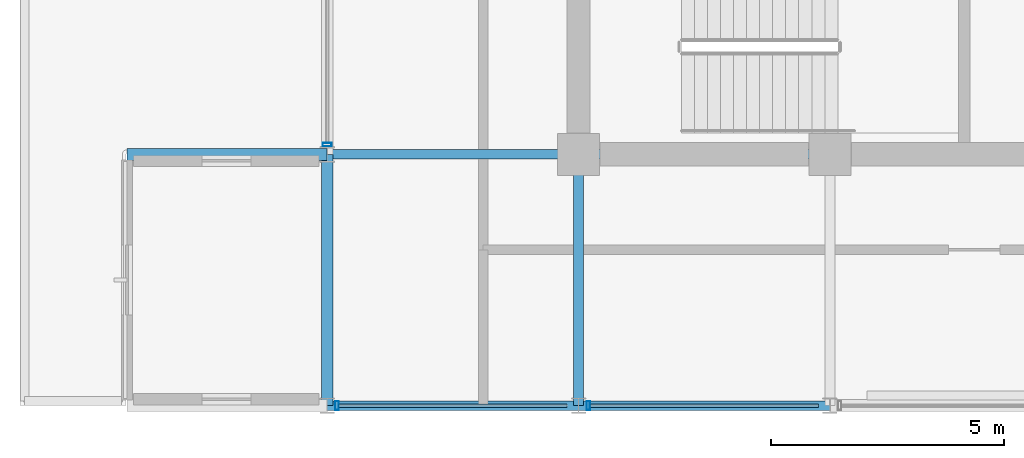
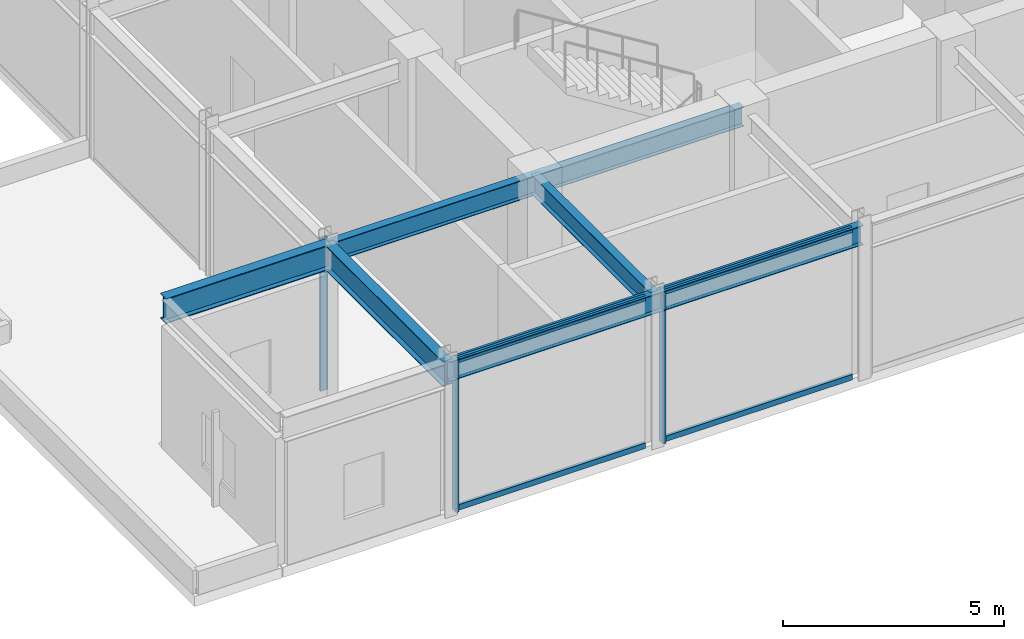
# One storey, part 2 of 18: 7 members, 5 beams, 2 elements without a shape of their own.
"""IFC4 building model written with IfcOpenShell, lengths in metres."""

from ifc_helpers import new_model, si_unit, direction, frame, origin, origin_2d, place, context, subcontext, project, spatial, hollow_rectangle, i_section, extrude, material, layer, layer_set, material_profile, profile_set, type_object, element, aggregate, save


model = new_model("IFC4")

# Units and contexts
model_context = context("Model", 3, precision=1e-05, world=origin(), true_north=direction((0.0, 1.0)))
body_context = subcontext(model_context, "Body", "Model", "MODEL_VIEW")
ifc_project = project(units=[si_unit("LENGTHUNIT", "METRE"), si_unit("AREAUNIT", "SQUARE_METRE"), si_unit("VOLUMEUNIT", "CUBIC_METRE"), si_unit("PLANEANGLEUNIT", "RADIAN"), si_unit("MASSUNIT", "GRAM", prefix="KILO")], contexts=[model_context])

# Site, building, storey
site_placement = place(None, origin())
site = spatial("IfcSite", under=ifc_project, at=site_placement, CompositionType="ELEMENT")
building_placement = place(site_placement, origin())
building = spatial("IfcBuilding", under=site, at=building_placement, Name="Surkhivell Harbour Commons", CompositionType="ELEMENT")
storey_placement = place(building_placement, frame((0.0, 0.0, 351.0)))
storey = spatial("IfcBuildingStorey", under=building, at=storey_placement, Name="L91", CompositionType="ELEMENT", Elevation=351.0)

# Beams
ifc_material_1 = material(Name="Steel S460", Category="steel")
ifc_material_profile_1 = material_profile(ifc_material_1, i_section(OverallWidth=0.256103515625, OverallDepth=0.693115234375, WebThickness=0.014404296875, FlangeThickness=0.023681640625, at=origin_2d()), Name="UB686x254x170")
ifc_profile_set_1 = profile_set([ifc_material_profile_1], Name="Steel S460")
beam_type_1 = type_object("IfcBeamType", Name="BM-CNT-686", PredefinedType="BEAM", material=ifc_profile_set_1)
beam_1_placement = place(storey_placement, frame((-16.199951171875, -10.800048828125, 3.87353515625), z_axis=(-1.0, 0.0, 0.0), x_axis=(0.0, -1.0, 0.0)))
element("IfcBeam", 1, at=beam_1_placement, inside=storey, type_object=beam_type_1, Name="L91 Box Cantilever Outrigger (-16.2,-10.8)", PredefinedType="BEAM", context=body_context, shape_type="SweptSolid", body=[
    extrude(i_section(OverallWidth=0.256103515625, OverallDepth=0.693115234375, WebThickness=0.014404296875, FlangeThickness=0.023681640625, at=origin_2d()), origin(), (0.0, 0.0, 1.0), 4.300048828125),
])
ifc_material_2 = material(Name="Steel S355", Category="steel")
ifc_material_profile_2 = material_profile(ifc_material_2, i_section(OverallWidth=0.2099609375, OverallDepth=0.537109375, WebThickness=0.0107421875, FlangeThickness=0.017333984375, at=origin_2d()), Name="UB533x210x101")
ifc_profile_set_2 = profile_set([ifc_material_profile_2], Name="Steel S355")
beam_type_2 = type_object("IfcBeamType", Name="BM-GRD-533B", PredefinedType="BEAM", material=ifc_profile_set_2)
for number, where, z_axis, x_axis, name in (
    (2, (-16.199951171875, -16.199951171875, 3.951416015625), (1.0, 0.0, 0.0), (0.0, 1.0, 0.0), "L91 Cantilever Back-Span Girder (-16.2,-16.2)"),
    (3, (-16.199951171875, -10.800048828125, 3.951416015625), (1.0, 0.0, 0.0), (0.0, 1.0, 0.0), "L91 Cantilever Back-Span Girder (-16.2,-10.8)"),
):
    element("IfcBeam", number, at=place(storey_placement, frame(where, z_axis=z_axis, x_axis=x_axis)), inside=storey, type_object=beam_type_2, Name=name, PredefinedType="BEAM", context=body_context, shape_type="SweptSolid", body=[
        extrude(i_section(OverallWidth=0.2099609375, OverallDepth=0.537109375, WebThickness=0.0107421875, FlangeThickness=0.017333984375, at=origin_2d()), origin(), (0.0, 0.0, 1.0), 10.800048828125),
    ])
beam_2_placement = place(storey_placement, frame((-10.800048828125, -16.199951171875, 3.951416015625), z_axis=(0.0, 1.0, 0.0), x_axis=(-1.0, 0.0, 0.0)))
element("IfcBeam", 4, at=beam_2_placement, inside=storey, type_object=beam_type_2, Name="L91 Floor Girder (-10.8,-16.2)", PredefinedType="BEAM", context=body_context, shape_type="SweptSolid", body=[
    extrude(i_section(OverallWidth=0.2099609375, OverallDepth=0.537109375, WebThickness=0.0107421875, FlangeThickness=0.017333984375, at=origin_2d()), origin(), (0.0, 0.0, 1.0), 5.39990234375),
])
ifc_material_profile_3 = material_profile(ifc_material_2, i_section(OverallWidth=0.256103515625, OverallDepth=0.693115234375, WebThickness=0.014404296875, FlangeThickness=0.023681640625, at=origin_2d()), Name="UB686x254x170")
ifc_profile_set_3 = profile_set([ifc_material_profile_3], Name="Steel S355")
beam_type_3 = type_object("IfcBeamType", Name="BM-SPN-686", PredefinedType="SPANDREL", material=ifc_profile_set_3)
beam_3_placement = place(storey_placement, frame((-16.199951171875, -16.199951171875, 3.87353515625), z_axis=(0.0, 1.0, 0.0), x_axis=(-1.0, 0.0, 0.0)))
element("IfcBeam", 5, at=beam_3_placement, inside=storey, type_object=beam_type_3, Name="L91 Tube Spandrel (-16.2,-16.2)", PredefinedType="SPANDREL", context=body_context, shape_type="SweptSolid", body=[
    extrude(i_section(OverallWidth=0.256103515625, OverallDepth=0.693115234375, WebThickness=0.014404296875, FlangeThickness=0.023681640625, at=origin_2d()), origin(), (0.0, 0.0, 1.0), 5.39990234375),
])

# Curtain wall, member
ifc_material_3 = material(Name="Anodised pale-metal aluminium and insulated glazing", Category="aluminium")
ifc_layer = layer(ifc_material_3, 0.22998046875)
ifc_layer_set = layer_set([ifc_layer], Name="Anodised pale-metal aluminium and insulated glazing")
curtain_wall_type = type_object("IfcCurtainWallType", Name="CW-SYS-CRN", PredefinedType="NOTDEFINED", material=ifc_layer_set)
curtain_wall_1_placement = place(storey_placement, origin())
curtain_wall_1 = element("IfcCurtainWall", 6, at=curtain_wall_1_placement, inside=storey, type_object=curtain_wall_type, Name="L91 Curtain Wall CW-L91-C04S1", PredefinedType="NOTDEFINED")
ifc_material_4 = material(Name="Anodised pale-metal aluminium alloy 6063-T6", Category="aluminium")
ifc_material_profile_4 = material_profile(ifc_material_4, hollow_rectangle(XDim=0.074951171875, YDim=0.18994140625, WallThickness=0.00390625, at=origin_2d()), Name="ALU-MULL-75x190")
ifc_profile_set_4 = profile_set([ifc_material_profile_4], Name="Anodised pale-metal aluminium alloy 6063-T6")
member_type_1 = type_object("IfcMemberType", Name="CWM-190", PredefinedType="MULLION", material=ifc_profile_set_4)
member_1_placement = place(storey_placement, frame((-16.199951171875, -10.590576171875, 0.0), z_axis=(0.0, 0.0, 1.0), x_axis=(0.0, -1.0, 0.0)))
member_1 = element("IfcMember", 7, at=member_1_placement, type_object=member_type_1, Name="CW-CRN mullion 6", PredefinedType="MULLION", context=body_context, shape_type="SweptSolid", body=[
    extrude(hollow_rectangle(XDim=0.074951171875, YDim=0.18994140625, WallThickness=0.00390625, at=origin_2d()), origin(), (0.0, 0.0, 1.0), 4.219970703125),
])
aggregate(curtain_wall_1, [member_1])

# Curtain wall, members
curtain_wall_2_placement = place(storey_placement, origin())
curtain_wall_2 = element("IfcCurtainWall", 8, at=curtain_wall_2_placement, inside=storey, type_object=curtain_wall_type, Name="L91 Curtain Wall CW-L91-C05", PredefinedType="NOTDEFINED")
member_2_placement = place(storey_placement, frame((-15.990478515625, -16.199951171875, 0.0), z_axis=(0.0, 0.0, 1.0), x_axis=(1.0, 0.0, 0.0)))
member_2 = element("IfcMember", 9, at=member_2_placement, type_object=member_type_1, Name="CW-CRN mullion 1", PredefinedType="MULLION", context=body_context, shape_type="SweptSolid", body=[
    extrude(hollow_rectangle(XDim=0.074951171875, YDim=0.18994140625, WallThickness=0.00390625, at=origin_2d()), origin(), (0.0, 0.0, 1.0), 4.219970703125),
])
member_3_placement = place(storey_placement, frame((-10.590576171875, -16.199951171875, 0.0), z_axis=(0.0, 0.0, 1.0), x_axis=(1.0, 0.0, 0.0)))
member_3 = element("IfcMember", 10, at=member_3_placement, type_object=member_type_1, Name="CW-CRN mullion 2", PredefinedType="MULLION", context=body_context, shape_type="SweptSolid", body=[
    extrude(hollow_rectangle(XDim=0.074951171875, YDim=0.18994140625, WallThickness=0.00390625, at=origin_2d()), origin(), (0.0, 0.0, 1.0), 4.219970703125),
])
ifc_material_profile_5 = material_profile(ifc_material_4, hollow_rectangle(XDim=0.074951171875, YDim=0.14990234375, WallThickness=0.00341796875, at=origin_2d()), Name="ALU-TRAN-75x150")
ifc_profile_set_5 = profile_set([ifc_material_profile_5], Name="Anodised pale-metal aluminium alloy 6063-T6")
member_type_2 = type_object("IfcMemberType", Name="CWT-150", PredefinedType="USERDEFINED", material=ifc_profile_set_5)
member_4_placement = place(storey_placement, frame((-15.952880859375, -16.199951171875, 0.074951171875), z_axis=(1.0, 0.0, 0.0), x_axis=(0.0, 1.0, 0.0)))
member_4 = element("IfcMember", 11, at=member_4_placement, type_object=member_type_2, Name="CW-CRN transom 1.1", ObjectType="TRANSOM", PredefinedType="USERDEFINED", context=body_context, shape_type="SweptSolid", body=[
    extrude(hollow_rectangle(XDim=0.074951171875, YDim=0.14990234375, WallThickness=0.00341796875, at=origin_2d()), origin(), (0.0, 0.0, 1.0), 4.90576171875),
])
member_5_placement = place(storey_placement, frame((-15.952880859375, -16.199951171875, 4.14501953125), z_axis=(1.0, 0.0, 0.0), x_axis=(0.0, 1.0, 0.0)))
member_5 = element("IfcMember", 12, at=member_5_placement, type_object=member_type_2, Name="CW-CRN transom 1.2", ObjectType="TRANSOM", PredefinedType="USERDEFINED", context=body_context, shape_type="SweptSolid", body=[
    extrude(hollow_rectangle(XDim=0.074951171875, YDim=0.14990234375, WallThickness=0.00341796875, at=origin_2d()), origin(), (0.0, 0.0, 1.0), 4.90576171875),
])
member_6_placement = place(storey_placement, frame((-10.552978515625, -16.199951171875, 0.074951171875), z_axis=(1.0, 0.0, 0.0), x_axis=(0.0, 1.0, 0.0)))
member_6 = element("IfcMember", 13, at=member_6_placement, type_object=member_type_2, Name="CW-CRN transom 2.1", ObjectType="TRANSOM", PredefinedType="USERDEFINED", context=body_context, shape_type="SweptSolid", body=[
    extrude(hollow_rectangle(XDim=0.074951171875, YDim=0.14990234375, WallThickness=0.00341796875, at=origin_2d()), origin(), (0.0, 0.0, 1.0), 4.906005859375),
])
member_7_placement = place(storey_placement, frame((-10.552978515625, -16.199951171875, 4.14501953125), z_axis=(1.0, 0.0, 0.0), x_axis=(0.0, 1.0, 0.0)))
member_7 = element("IfcMember", 14, at=member_7_placement, type_object=member_type_2, Name="CW-CRN transom 2.2", ObjectType="TRANSOM", PredefinedType="USERDEFINED", context=body_context, shape_type="SweptSolid", body=[
    extrude(hollow_rectangle(XDim=0.074951171875, YDim=0.14990234375, WallThickness=0.00341796875, at=origin_2d()), origin(), (0.0, 0.0, 1.0), 4.906005859375),
])
aggregate(curtain_wall_2, [member_2, member_4, member_5, member_3, member_6, member_7])

save(model, "model.ifc")
